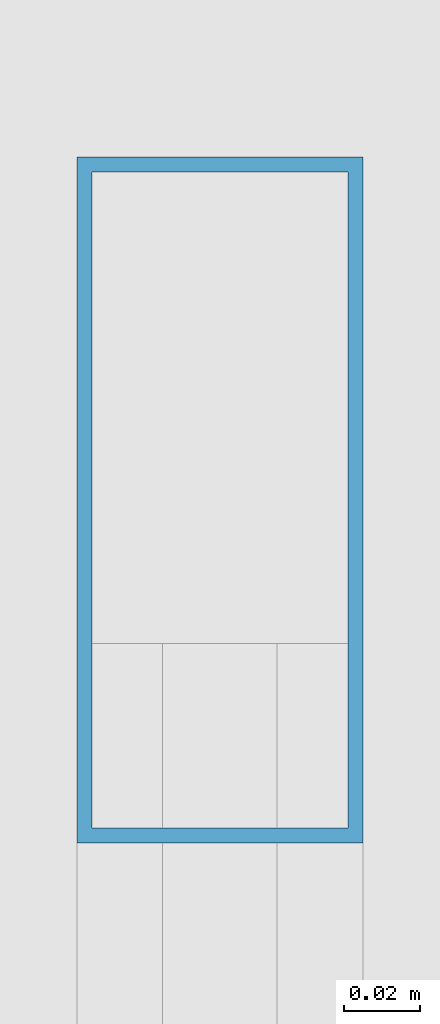
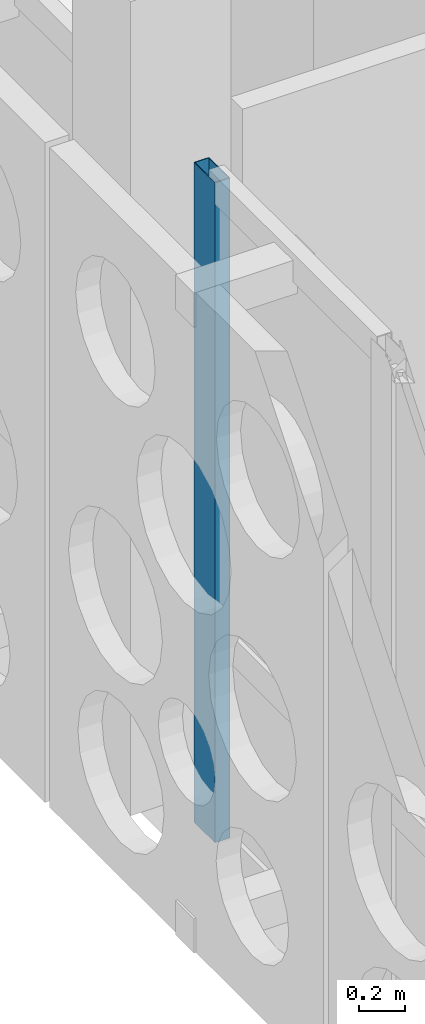
# One storey, part 17 of 171: 1 member, 1 element without a shape of its own.
"""IFC4 building model written with IfcOpenShell, lengths in metres."""

from ifc_helpers import new_model, si_unit, direction, frame, origin, origin_2d, place, context, subcontext, project, spatial, hollow_rectangle, extrude, material, material_profile, profile_set, type_object, element, aggregate, save


model = new_model("IFC4")

# Units and contexts
model_context = context("Model", 3, precision=1e-05, world=origin(), true_north=direction((0.0, 1.0)))
body_context = subcontext(model_context, "Body", "Model", "MODEL_VIEW")
ifc_project = project(units=[si_unit("LENGTHUNIT", "METRE"), si_unit("AREAUNIT", "SQUARE_METRE"), si_unit("VOLUMEUNIT", "CUBIC_METRE"), si_unit("PLANEANGLEUNIT", "RADIAN"), si_unit("MASSUNIT", "GRAM", prefix="KILO")], contexts=[model_context])

# Site, building, storey
site_placement = place(None, origin())
site = spatial("IfcSite", under=ifc_project, at=site_placement, CompositionType="ELEMENT")
building_placement = place(site_placement, origin())
building = spatial("IfcBuilding", under=site, at=building_placement, Name="Aldebral Square Health Centre", CompositionType="ELEMENT")
storey_placement = place(building_placement, frame((0.0, 0.0, 4.5)))
storey = spatial("IfcBuildingStorey", under=building, at=storey_placement, Name="L01", CompositionType="ELEMENT", Elevation=4.5)

# Curtain wall, member
ifc_material_1 = material(Name="Aluminium and low-E solar glass", Category="aluminium")
curtain_wall_type = type_object("IfcCurtainWallType", Name="CW-HALL-SYS", PredefinedType="USERDEFINED", material=ifc_material_1)
curtain_wall_placement = place(storey_placement, origin())
curtain_wall = element("IfcCurtainWall", 1, at=curtain_wall_placement, inside=storey, type_object=curtain_wall_type, Name="L01 V1 hall curtain wall L01-V1-09-10-W", ObjectType="HALL_CURTAIN_WALL", PredefinedType="USERDEFINED")
ifc_material_2 = material(Name="Anodised aluminium mullion", Category="aluminium")
ifc_material_profile = material_profile(ifc_material_2, hollow_rectangle(XDim=0.074951171875, YDim=0.179931640625, WallThickness=0.00390625, at=origin_2d()), Name="CWM 75x180x4")
ifc_profile_set = profile_set([ifc_material_profile], Name="Anodised aluminium mullion")
member_type = type_object("IfcMemberType", Name="CWM-STD", PredefinedType="MULLION", material=ifc_profile_set)
member_placement = place(storey_placement, frame((64.800048828125, 78.6826171875, 0.0), z_axis=(0.0, 0.0, 1.0), x_axis=(1.0, 0.0, 0.0)))
member = element("IfcMember", 2, at=member_placement, type_object=member_type, Name="CW2 mullion 1", PredefinedType="MULLION", context=body_context, shape_type="SweptSolid", body=[
    extrude(hollow_rectangle(XDim=0.074951171875, YDim=0.179931640625, WallThickness=0.00390625, at=origin_2d()), origin(), (0.0, 0.0, 1.0), 3.469970703125),
])
aggregate(curtain_wall, [member])

save(model, "model.ifc")
